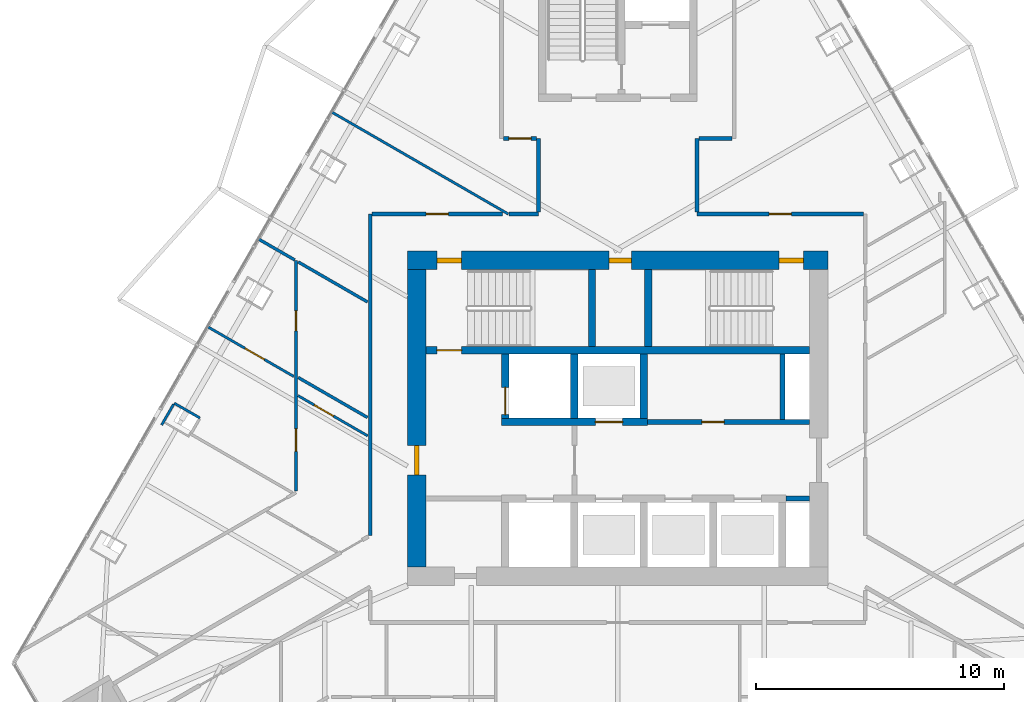
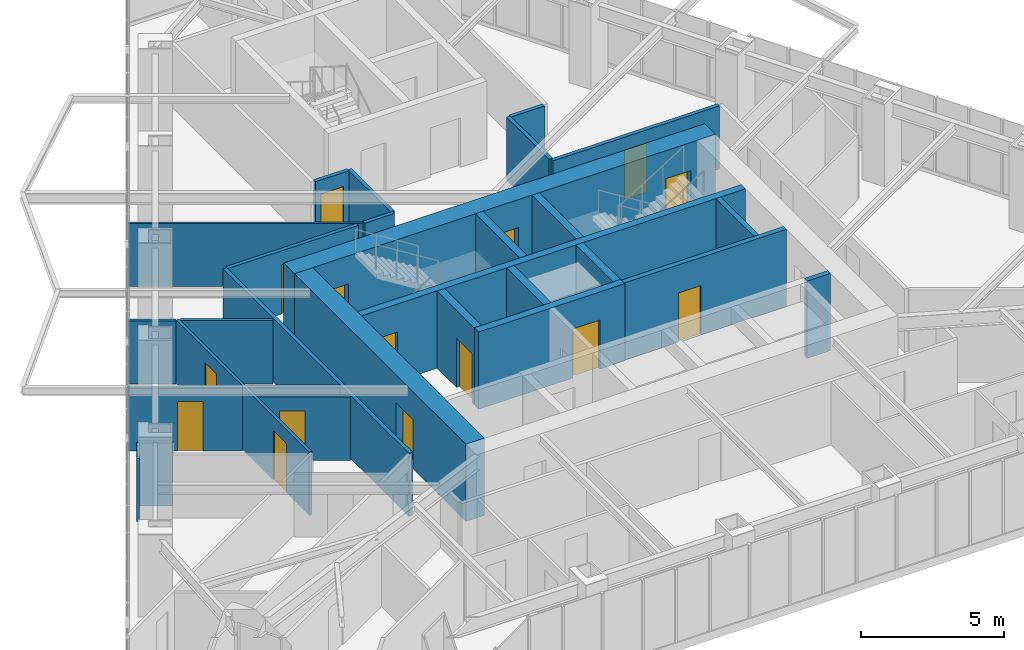
# One storey, part 15 of 19: 29 walls, 15 doors, 15 openings.
"""IFC4 building model written with IfcOpenShell, lengths in metres."""

import ifcopenshell
import ifcopenshell.guid

model = None  # the IFC model being written
_history = None  # IfcOwnerHistory: only IFC2X3 demands one
_inside = {}  # id of a spatial element -> (the spatial element, [elements in it])
_under = {}  # id of a project, library or spatial element -> (it, [spatial elements below it])
_declared = {}  # id of a project -> (the project, [libraries it declares])
_typed = {}  # id of a type object -> (the type object, [elements of that type])
_made_of = {}  # id of a material, layer set ... -> (it, [elements and type objects made of it])


def new_model(schema):
    """Start an empty IFC model of exactly this schema.

    Asked for "IFC4X3", IfcOpenShell would pick the latest addendum, in which some entities
    have other attributes; the version numbers below select the first issue.
    IFC2X3 requires an IfcOwnerHistory on every rooted entity: one is made here for all.
    """
    global model, _history
    if schema == "IFC4X3":
        model = ifcopenshell.file(schema_version=(4, 3, 0, 0))
    else:
        model = ifcopenshell.file(schema=schema)
    _inside.clear()
    _under.clear()
    _declared.clear()
    _typed.clear()
    _made_of.clear()
    _history = None
    if model.schema == "IFC2X3":
        org = make("IfcOrganization", Name="unknown")
        user = make(
            "IfcPersonAndOrganization",
            ThePerson=make("IfcPerson", FamilyName="unknown"),
            TheOrganization=org,
        )
        app = make(
            "IfcApplication",
            ApplicationDeveloper=org,
            Version="unknown",
            ApplicationFullName="unknown",
            ApplicationIdentifier="unknown",
        )
        _history = make(
            "IfcOwnerHistory",
            OwningUser=user,
            OwningApplication=app,
            ChangeAction="ADDED",
            CreationDate=0,
        )
    return model


def make(cls, **values):
    """One entity of the class cls with the attributes given. An attribute that is None is left unset."""
    return model.create_entity(
        cls, **{name: value for name, value in values.items() if value is not None}
    )


def rooted(cls, **values):
    """An entity with a GlobalId (a new one), such as an element, a storey or a relation."""
    return make(cls, GlobalId=ifcopenshell.guid.new(), OwnerHistory=_history, **values)


def si_unit(unit_type, name, prefix=None):
    """IfcSIUnit, for example si_unit("LENGTHUNIT", "METRE", prefix="MILLI")."""
    return make("IfcSIUnit", UnitType=unit_type, Prefix=prefix, Name=name)


def assignment(units):
    """IfcUnitAssignment: the units of a project."""
    return None if units is None else make("IfcUnitAssignment", Units=units)


def point(xyz):
    """IfcCartesianPoint."""
    return None if xyz is None else make("IfcCartesianPoint", Coordinates=xyz)


def direction(xyz):
    """IfcDirection."""
    return None if xyz is None else make("IfcDirection", DirectionRatios=xyz)


def frame(location, z_axis=None, x_axis=None):
    """IfcAxis2Placement3D, a coordinate frame: its origin and axes. An axis left out is left unset."""
    return make(
        "IfcAxis2Placement3D",
        Location=point(location),
        Axis=direction(z_axis),
        RefDirection=direction(x_axis),
    )


def frame_2d(location, x_axis=None):
    """IfcAxis2Placement2D, a coordinate frame in the plane: its origin and x axis."""
    return make(
        "IfcAxis2Placement2D", Location=point(location), RefDirection=direction(x_axis)
    )


def origin():
    """The frame at (0, 0, 0) with its axes left unset."""
    return frame((0.0, 0.0, 0.0))


def place(relative_to, where):
    """IfcLocalPlacement: puts the frame where relative to a parent placement (None: the world)."""
    return make(
        "IfcLocalPlacement", PlacementRelTo=relative_to, RelativePlacement=where
    )


def context(
    kind, dimensions, precision=None, world=None, true_north=None, identifier=None
):
    """IfcGeometricRepresentationContext, for example the 3D "Model" context."""
    return make(
        "IfcGeometricRepresentationContext",
        ContextIdentifier=identifier,
        ContextType=kind,
        CoordinateSpaceDimension=dimensions,
        Precision=precision,
        WorldCoordinateSystem=world,
        TrueNorth=true_north,
    )


def subcontext(parent, identifier, kind, view, scale=None):
    """IfcGeometricRepresentationSubContext, for example "Body" below "Model"."""
    return make(
        "IfcGeometricRepresentationSubContext",
        ContextIdentifier=identifier,
        ContextType=kind,
        ParentContext=parent,
        TargetScale=scale,
        TargetView=view,
    )


def project(units=None, contexts=None):
    """IfcProject with its units and contexts."""
    return rooted(
        "IfcProject",
        Name="project",
        RepresentationContexts=contexts,
        UnitsInContext=assignment(units),
    )


def spatial(cls, under=None, at=None, **own):
    """A site, building, storey or space (cls), placed at a placement, below another one or the project."""
    s = rooted(cls, ObjectPlacement=at, **own)
    if under is not None:
        _under.setdefault(under.id(), (under, []))[1].append(s)
    return s


def profile(cls, at=None, kind="AREA", **sizes):
    """A parametric profile (cls). Its sizes go by their IFC names, for example OverallWidth=200.0."""
    return make(cls, ProfileType=kind, Position=at, **sizes)


def rectangle(**sizes):
    """IfcRectangleProfileDef."""
    return profile("IfcRectangleProfileDef", **sizes)


def extrude(swept, where, along, depth):
    """IfcExtrudedAreaSolid: the profile swept, set in the frame where, extruded along a direction by depth."""
    return make(
        "IfcExtrudedAreaSolid",
        SweptArea=swept,
        Position=where,
        ExtrudedDirection=direction(along),
        Depth=depth,
    )


def shape(context_of_items, identifier, shape_type, items):
    """IfcShapeRepresentation: the items that make up one representation, for example the "Body"."""
    return make(
        "IfcShapeRepresentation",
        ContextOfItems=context_of_items,
        RepresentationIdentifier=identifier,
        RepresentationType=shape_type,
        Items=items,
    )


def material(Name=None, Category=None):
    """IfcMaterial."""
    return make("IfcMaterial", Name=Name, Category=Category)


def layer(
    of_material, thickness, ventilated=None, Name=None, Category=None, Priority=None
):
    """IfcMaterialLayer: one layer of a wall or slab, of a material (None: an air gap)."""
    return make(
        "IfcMaterialLayer",
        Material=of_material,
        LayerThickness=thickness,
        IsVentilated=ventilated,
        Name=Name,
        Category=Category,
        Priority=Priority,
    )


def layer_set(layers, Name=None):
    """IfcMaterialLayerSet."""
    return make("IfcMaterialLayerSet", MaterialLayers=layers, LayerSetName=Name)


def made_of(thing, what):
    """Note that an element or type object is made of a material, layer set ...; save() writes the relation."""
    if what is not None:
        _made_of.setdefault(what.id(), (what, []))[1].append(thing)
    return thing


def type_object(cls, material=None, **own):
    """A type object (cls), such as IfcWallType, which elements share."""
    return made_of(rooted(cls, **own), material)


def element(
    cls,
    number,
    at=None,
    inside=None,
    cuts=None,
    type_object=None,
    material=None,
    context=None,
    identifier="Body",
    shape_type=None,
    held_by="IfcProductDefinitionShape",
    body=None,
    shapes=None,
    **own,
):
    """One element of the class cls, such as IfcWall. Its Tag is "e" and its number.

    at: its placement. inside: the storey or other place that contains it. cuts: it is an
    opening in that element (IfcRelVoidsElement). A single representation is given by context,
    identifier, shape_type and body (its items); several are given by shapes. held_by: the class
    of the entity that holds the representations. save() writes the other relations.
    """
    e = rooted(cls, Tag="e%d" % number, ObjectPlacement=at, **own)
    if body is not None:
        shapes = [shape(context, identifier, shape_type, body)]
    if shapes is not None:
        e.Representation = make(held_by, Representations=shapes)
    if inside is not None:
        _inside.setdefault(inside.id(), (inside, []))[1].append(e)
    if cuts is not None:
        rooted(
            "IfcRelVoidsElement", RelatingBuildingElement=cuts, RelatedOpeningElement=e
        )
    if type_object is not None:
        _typed.setdefault(type_object.id(), (type_object, []))[1].append(e)
    return made_of(e, material)


def fill(opening, filler):
    """IfcRelFillsElement: the door or window that sits in an opening."""
    return rooted(
        "IfcRelFillsElement",
        RelatingOpeningElement=opening,
        RelatedBuildingElement=filler,
    )


def aggregate(whole, parts):
    """IfcRelAggregates: a whole, such as a stair, and the parts it consists of."""
    return rooted("IfcRelAggregates", RelatingObject=whole, RelatedObjects=parts)


def save(model, path):
    """Write the relations noted so far, then the file.

    IfcRelAggregates (storeys below a building ...), IfcRelContainedInSpatialStructure (elements
    in a storey), IfcRelDefinesByType, IfcRelAssociatesMaterial and IfcRelDeclares: one each for
    every whole, place, type object, material and project.
    """
    for whole, parts in _under.values():
        aggregate(whole, parts)
    for where, things in _inside.values():
        rooted(
            "IfcRelContainedInSpatialStructure",
            RelatedElements=things,
            RelatingStructure=where,
        )
    for kind, things in _typed.values():
        rooted("IfcRelDefinesByType", RelatedObjects=things, RelatingType=kind)
    for what, things in _made_of.values():
        rooted("IfcRelAssociatesMaterial", RelatedObjects=things, RelatingMaterial=what)
    for by, libraries in _declared.values():
        rooted("IfcRelDeclares", RelatingContext=by, RelatedDefinitions=libraries)
    model.write(path)


model = new_model("IFC4")

# Units and contexts
model_context = context("Model", 3, precision=1e-05, world=origin(), true_north=direction((0.0, 1.0)))
body_context = subcontext(model_context, "Body", "Model", "MODEL_VIEW")
ifc_project = project(units=[si_unit("LENGTHUNIT", "METRE"), si_unit("AREAUNIT", "SQUARE_METRE"), si_unit("VOLUMEUNIT", "CUBIC_METRE"), si_unit("PLANEANGLEUNIT", "RADIAN"), si_unit("MASSUNIT", "GRAM", prefix="KILO")], contexts=[model_context])

# Site, building, storey
site_placement = place(None, origin())
site = spatial("IfcSite", under=ifc_project, at=site_placement, CompositionType="ELEMENT")
building_placement = place(site_placement, origin())
building = spatial("IfcBuilding", under=site, at=building_placement, Name="Firuza Gate Tower and Library", CompositionType="ELEMENT")
storey_placement = place(building_placement, frame((0.0, 0.0, 316.10009765625)))
storey = spatial("IfcBuildingStorey", under=building, at=storey_placement, Name="L77", CompositionType="ELEMENT", Elevation=316.10009765625)

# Wall
ifc_material_1 = material(Name="Plasterboard on steel studs", Category="steel")
ifc_layer_1 = layer(ifc_material_1, 0.199951171875)
ifc_layer_set_1 = layer_set([ifc_layer_1], Name="Core partition 200 EI 120")
wall_type_1 = type_object("IfcWallType", Name="Core partition 200 EI 120", PredefinedType="PARTITIONING", material=ifc_layer_set_1)
wall_1_placement = place(storey_placement, frame((81.800048828125, 71.75, 0.0), z_axis=(0.0, 0.0, 1.0), x_axis=(1.0, 0.0, 0.0)))
element("IfcWall", 1, at=wall_1_placement, inside=storey, type_object=wall_type_1, Name="Core partition L77 2", PredefinedType="PARTITIONING", context=body_context, shape_type="SweptSolid", body=[
    extrude(rectangle(XDim=0.949951171875, YDim=0.199951171875, at=frame_2d((0.47509765625, 0.0))), origin(), (0.0, 0.0, 1.0), 3.2998046875),
])

# Wall, opening, door
wall_2_placement = place(storey_placement, frame((76.199951171875, 74.85009765625, 0.0), z_axis=(0.0, 0.0, 1.0), x_axis=(1.0, 0.0, 0.0)))
wall_2 = element("IfcWall", 2, at=wall_2_placement, inside=storey, type_object=wall_type_1, Name="Core partition L77 3", PredefinedType="PARTITIONING", context=body_context, shape_type="SweptSolid", body=[
    extrude(rectangle(XDim=6.550048828125, YDim=0.199951171875, at=frame_2d((3.27490234375, 0.0))), origin(), (0.0, 0.0, 1.0), 3.2998046875),
])
opening_1_placement = place(wall_2_placement, frame((2.199951171875, 0.0, 0.0)))
opening_1 = element("IfcOpeningElement", 3, at=opening_1_placement, cuts=wall_2, Name="Opening L77-K18", PredefinedType="OPENING", context=body_context, shape_type="SweptSolid", body=[
    extrude(rectangle(XDim=0.89990234375, YDim=2.10009765625, at=frame_2d((0.449951171875, 1.050048828125))), frame((0.0, 0.10986328125, 0.0), z_axis=(0.0, -1.0, 0.0), x_axis=(1.0, 0.0, 0.0)), (0.0, 0.0, 1.0), 0.219970703125),
])
ifc_material_2 = material(Name="Steel", Category="steel")
door_type_1 = type_object("IfcDoorType", Name="Fire door 900x2100 FD30S", OperationType="NOTDEFINED", PredefinedType="DOOR", material=ifc_material_2)
door_1_placement = place(opening_1_placement, origin())
door_1 = element("IfcDoor", 4, at=door_1_placement, inside=storey, type_object=door_type_1, Name="Door L77-K18", OperationType="SINGLE_SWING_LEFT", OverallHeight=2.10009765625, OverallWidth=0.89990234375, PredefinedType="DOOR", context=body_context, shape_type="SweptSolid", body=[
    extrude(rectangle(XDim=0.89990234375, YDim=2.10009765625, at=frame_2d((0.449951171875, 1.050048828125))), frame((0.0, 0.02490234375, 0.0), z_axis=(0.0, -1.0, 0.0), x_axis=(1.0, 0.0, 0.0)), (0.0, 0.0, 1.0), 0.050048828125),
])
fill(opening_1, door_1)

# Wall
wall_3_placement = place(storey_placement, frame((81.64990234375, 74.949951171875, 0.0), z_axis=(0.0, 0.0, 1.0), x_axis=(0.0, 1.0, 0.0)))
element("IfcWall", 5, at=wall_3_placement, inside=storey, type_object=wall_type_1, Name="Core partition L77 5", PredefinedType="PARTITIONING", context=body_context, shape_type="SweptSolid", body=[
    extrude(rectangle(XDim=2.650146484375, YDim=0.199951171875, at=frame_2d((1.3251953125, 0.0))), origin(), (0.0, 0.0, 1.0), 3.2998046875),
])

# Wall, opening, door
ifc_material_3 = material(Name="Concrete C60/75", Category="concrete")
ifc_layer_2 = layer(ifc_material_3, 0.300048828125)
ifc_layer_set_2 = layer_set([ifc_layer_2], Name="Core wall 300 C60/75")
wall_type_2 = type_object("IfcWallType", Name="Core wall 300 C60/75", PredefinedType="SHEAR", material=ifc_layer_set_2)
wall_4_placement = place(storey_placement, frame((70.300048828125, 74.85009765625, 0.0), z_axis=(0.0, 0.0, 1.0), x_axis=(1.0, 0.0, 0.0)))
wall_4 = element("IfcWall", 6, at=wall_4_placement, inside=storey, type_object=wall_type_2, Name="Core wall L77 6", PredefinedType="SHEAR", context=body_context, shape_type="SweptSolid", body=[
    extrude(rectangle(XDim=5.89990234375, YDim=0.300048828125, at=frame_2d((2.949951171875, 0.0))), origin(), (0.0, 0.0, 1.0), 3.2998046875),
])
opening_2_placement = place(wall_4_placement, frame((3.800048828125, 0.0, 0.0)))
opening_2 = element("IfcOpeningElement", 7, at=opening_2_placement, cuts=wall_4, Name="Opening LD-HR4-L77", PredefinedType="OPENING", context=body_context, shape_type="SweptSolid", body=[
    extrude(rectangle(XDim=1.10009765625, YDim=2.10009765625, at=frame_2d((0.550048828125, 1.050048828125))), frame((0.0, 0.16015625, 0.0), z_axis=(0.0, -1.0, 0.0), x_axis=(1.0, 0.0, 0.0)), (0.0, 0.0, 1.0), 0.320068359375),
])
ifc_material_4 = material(Name="Stainless steel", Category="steel")
door_type_2 = type_object("IfcDoorType", Name="Lift landing door 1100x2100", OperationType="DOUBLE_DOOR_SLIDING", PredefinedType="DOOR", material=ifc_material_4)
door_2_placement = place(opening_2_placement, origin())
door_2 = element("IfcDoor", 8, at=door_2_placement, inside=storey, type_object=door_type_2, Name="Landing door HR4 L77", OperationType="DOUBLE_DOOR_SLIDING", OverallHeight=2.10009765625, OverallWidth=1.10009765625, PredefinedType="DOOR", context=body_context, shape_type="SweptSolid", body=[
    extrude(rectangle(XDim=1.10009765625, YDim=2.10009765625, at=frame_2d((0.550048828125, 1.050048828125))), frame((0.0, 0.02490234375, 0.0), z_axis=(0.0, -1.0, 0.0), x_axis=(1.0, 0.0, 0.0)), (0.0, 0.0, 1.0), 0.050048828125),
])
fill(opening_2, door_2)

wall_5_placement = place(storey_placement, frame((70.449951171875, 75.0, 0.0), z_axis=(0.0, 0.0, 1.0), x_axis=(0.0, 1.0, 0.0)))
wall_5 = element("IfcWall", 9, at=wall_5_placement, inside=storey, type_object=wall_type_2, Name="Core wall L77 8", PredefinedType="SHEAR", context=body_context, shape_type="SweptSolid", body=[
    extrude(rectangle(XDim=2.60009765625, YDim=0.300048828125, at=frame_2d((1.300048828125, 0.0))), origin(), (0.0, 0.0, 1.0), 3.2998046875),
])
opening_3_placement = place(wall_5_placement, frame((0.14990234375, 0.0, 0.0)))
opening_3 = element("IfcOpeningElement", 10, at=opening_3_placement, cuts=wall_5, Name="Opening LD-FF2-L77", PredefinedType="OPENING", context=body_context, shape_type="SweptSolid", body=[
    extrude(rectangle(XDim=1.10009765625, YDim=2.10009765625, at=frame_2d((0.550048828125, 1.050048828125))), frame((0.0, 0.16015625, 0.0), z_axis=(0.0, -1.0, 0.0), x_axis=(1.0, 0.0, 0.0)), (0.0, 0.0, 1.0), 0.320068359375),
])
door_3_placement = place(opening_3_placement, origin())
door_3 = element("IfcDoor", 11, at=door_3_placement, inside=storey, type_object=door_type_2, Name="Landing door FF2 L77", OperationType="DOUBLE_DOOR_SLIDING", OverallHeight=2.10009765625, OverallWidth=1.10009765625, PredefinedType="DOOR", context=body_context, shape_type="SweptSolid", body=[
    extrude(rectangle(XDim=1.10009765625, YDim=2.10009765625, at=frame_2d((0.550048828125, 1.050048828125))), frame((0.0, 0.02490234375, 0.0), z_axis=(0.0, -1.0, 0.0), x_axis=(1.0, 0.0, 0.0)), (0.0, 0.0, 1.0), 0.050048828125),
])
fill(opening_3, door_3)

# Walls
for number, where, z_axis, x_axis, name in (
    (12, (73.25, 75.0, 0.0), (0.0, 0.0, 1.0), (0.0, 1.0, 0.0), "Core wall L77 10"),
    (13, (76.050048828125, 75.0, 0.0), (0.0, 0.0, 1.0), (0.0, 1.0, 0.0), "Core wall L77 12"),
):
    element("IfcWall", number, at=place(storey_placement, frame(where, z_axis=z_axis, x_axis=x_axis)), inside=storey, type_object=wall_type_2, Name=name, PredefinedType="SHEAR", context=body_context, shape_type="SweptSolid", body=[
        extrude(rectangle(XDim=2.60009765625, YDim=0.300048828125, at=frame_2d((1.300048828125, 0.0))), origin(), (0.0, 0.0, 1.0), 3.2998046875),
    ])

# Wall, opening, door
wall_6_placement = place(storey_placement, frame((67.25, 77.75, 0.0), z_axis=(0.0, 0.0, 1.0), x_axis=(1.0, 0.0, 0.0)))
wall_6 = element("IfcWall", 14, at=wall_6_placement, inside=storey, type_object=wall_type_2, Name="Core wall L77 15", PredefinedType="SHEAR", context=body_context, shape_type="SweptSolid", body=[
    extrude(rectangle(XDim=15.5, YDim=0.300048828125, at=frame_2d((7.75, 0.0))), origin(), (0.0, 0.0, 1.0), 3.2998046875),
])
opening_4_placement = place(wall_6_placement, frame((0.445068359375, 0.0, 0.0)))
opening_4 = element("IfcOpeningElement", 15, at=opening_4_placement, cuts=wall_6, Name="Opening L77-K08", PredefinedType="OPENING", context=body_context, shape_type="SweptSolid", body=[
    extrude(rectangle(XDim=1.0, YDim=2.10009765625, at=frame_2d((0.5, 1.050048828125))), frame((0.0, 0.16015625, 0.0), z_axis=(0.0, -1.0, 0.0), x_axis=(1.0, 0.0, 0.0)), (0.0, 0.0, 1.0), 0.320068359375),
])
ifc_material_5 = material(Name="Steel", Category="steel")
door_type_3 = type_object("IfcDoorType", Name="Fire door 1000x2100 FD90", OperationType="NOTDEFINED", PredefinedType="DOOR", material=ifc_material_5)
door_4_placement = place(opening_4_placement, origin())
door_4 = element("IfcDoor", 16, at=door_4_placement, inside=storey, type_object=door_type_3, Name="Door L77-K08", OperationType="SINGLE_SWING_LEFT", OverallHeight=2.10009765625, OverallWidth=1.0, PredefinedType="DOOR", context=body_context, shape_type="SweptSolid", body=[
    extrude(rectangle(XDim=1.0, YDim=2.10009765625, at=frame_2d((0.5, 1.050048828125))), frame((0.0, 0.02490234375, 0.0), z_axis=(0.0, -1.0, 0.0), x_axis=(1.0, 0.0, 0.0)), (0.0, 0.0, 1.0), 0.050048828125),
])
fill(opening_4, door_4)

# Walls
for number, where, z_axis, x_axis, name in (
    (17, (73.9599609375, 77.89990234375, 0.0), (0.0, 0.0, 1.0), (0.0, 1.0, 0.0), "Core wall L77 16"),
    (18, (76.239990234375, 77.89990234375, 0.0), (0.0, 0.0, 1.0), (0.0, 1.0, 0.0), "Core wall L77 17"),
):
    element("IfcWall", number, at=place(storey_placement, frame(where, z_axis=z_axis, x_axis=x_axis)), inside=storey, type_object=wall_type_2, Name=name, PredefinedType="SHEAR", context=body_context, shape_type="SweptSolid", body=[
        extrude(rectangle(XDim=3.10009765625, YDim=0.300048828125, at=frame_2d((1.550048828125, 0.0))), origin(), (0.0, 0.0, 1.0), 3.2998046875),
    ])

# Wall, openings, doors
ifc_material_6 = material(Name="Concrete C60/75", Category="concrete")
ifc_layer_3 = layer(ifc_material_6, 0.75)
ifc_layer_set_3 = layer_set([ifc_layer_3], Name="Core wall 750 C60/75")
wall_type_3 = type_object("IfcWallType", Name="Core wall 750 C60/75", PredefinedType="SHEAR", material=ifc_layer_set_3)
wall_7_placement = place(storey_placement, frame((66.5, 81.375, 0.0), z_axis=(0.0, 0.0, 1.0), x_axis=(1.0, 0.0, 0.0)))
wall_7 = element("IfcWall", 19, at=wall_7_placement, inside=storey, type_object=wall_type_3, Name="Core wall L77 2", PredefinedType="SHEAR", context=body_context, shape_type="SweptSolid", body=[
    extrude(rectangle(XDim=17.0, YDim=0.75, at=frame_2d((8.5, 0.0))), origin(), (0.0, 0.0, 1.0), 3.2998046875),
])
opening_5_placement = place(wall_7_placement, frame((1.195068359375, 0.0, 0.0)))
opening_5 = element("IfcOpeningElement", 20, at=opening_5_placement, cuts=wall_7, Name="Opening L77-K09", PredefinedType="OPENING", context=body_context, shape_type="SweptSolid", body=[
    extrude(rectangle(XDim=1.0, YDim=2.10009765625, at=frame_2d((0.5, 1.050048828125))), frame((0.0, 0.385009765625, 0.0), z_axis=(0.0, -1.0, 0.0), x_axis=(1.0, 0.0, 0.0)), (0.0, 0.0, 1.0), 0.77001953125),
])
opening_6_placement = place(wall_7_placement, frame((15.0048828125, 0.0, 0.0)))
opening_6 = element("IfcOpeningElement", 21, at=opening_6_placement, cuts=wall_7, Name="Opening L77-K10", PredefinedType="OPENING", context=body_context, shape_type="SweptSolid", body=[
    extrude(rectangle(XDim=1.0, YDim=2.10009765625, at=frame_2d((0.5, 1.050048828125))), frame((0.0, 0.385009765625, 0.0), z_axis=(0.0, -1.0, 0.0), x_axis=(1.0, 0.0, 0.0)), (0.0, 0.0, 1.0), 0.77001953125),
])
opening_7_placement = place(wall_7_placement, frame((8.14990234375, 0.0, 0.0)))
opening_7 = element("IfcOpeningElement", 22, at=opening_7_placement, cuts=wall_7, Name="Opening L77-K19", PredefinedType="OPENING", context=body_context, shape_type="SweptSolid", body=[
    extrude(rectangle(XDim=0.89990234375, YDim=2.10009765625, at=frame_2d((0.449951171875, 1.050048828125))), frame((0.0, 0.385009765625, 0.0), z_axis=(0.0, -1.0, 0.0), x_axis=(1.0, 0.0, 0.0)), (0.0, 0.0, 1.0), 0.77001953125),
])
door_5_placement = place(opening_5_placement, origin())
door_5 = element("IfcDoor", 23, at=door_5_placement, inside=storey, type_object=door_type_3, Name="Door L77-K09", OperationType="SINGLE_SWING_RIGHT", OverallHeight=2.10009765625, OverallWidth=1.0, PredefinedType="DOOR", context=body_context, shape_type="SweptSolid", body=[
    extrude(rectangle(XDim=1.0, YDim=2.10009765625, at=frame_2d((0.5, 1.050048828125))), frame((0.0, 0.094970703125, 0.0), z_axis=(0.0, -1.0, 0.0), x_axis=(1.0, 0.0, 0.0)), (0.0, 0.0, 1.0), 0.18994140625),
])
fill(opening_5, door_5)
door_6_placement = place(opening_6_placement, origin())
door_6 = element("IfcDoor", 24, at=door_6_placement, inside=storey, type_object=door_type_3, Name="Door L77-K10", OperationType="SINGLE_SWING_LEFT", OverallHeight=2.10009765625, OverallWidth=1.0, PredefinedType="DOOR", context=body_context, shape_type="SweptSolid", body=[
    extrude(rectangle(XDim=1.0, YDim=2.10009765625, at=frame_2d((0.5, 1.050048828125))), frame((0.0, 0.094970703125, 0.0), z_axis=(0.0, -1.0, 0.0), x_axis=(1.0, 0.0, 0.0)), (0.0, 0.0, 1.0), 0.18994140625),
])
fill(opening_6, door_6)
door_7_placement = place(opening_7_placement, origin())
door_7 = element("IfcDoor", 25, at=door_7_placement, inside=storey, type_object=door_type_1, Name="Door L77-K19", OperationType="SINGLE_SWING_RIGHT", OverallHeight=2.10009765625, OverallWidth=0.89990234375, PredefinedType="DOOR", context=body_context, shape_type="SweptSolid", body=[
    extrude(rectangle(XDim=0.89990234375, YDim=2.10009765625, at=frame_2d((0.449951171875, 1.050048828125))), frame((0.0, 0.094970703125, 0.0), z_axis=(0.0, -1.0, 0.0), x_axis=(1.0, 0.0, 0.0)), (0.0, 0.0, 1.0), 0.18994140625),
])
fill(opening_7, door_7)

# Wall, opening, door
wall_8_placement = place(storey_placement, frame((66.875, 69.0, 0.0), z_axis=(0.0, 0.0, 1.0), x_axis=(0.0, 1.0, 0.0)))
wall_8 = element("IfcWall", 26, at=wall_8_placement, inside=storey, type_object=wall_type_3, Name="Core wall L77 3", PredefinedType="SHEAR", context=body_context, shape_type="SweptSolid", body=[
    extrude(rectangle(XDim=12.0, YDim=0.75, at=frame_2d((6.0, 0.0))), origin(), (0.0, 0.0, 1.0), 3.2998046875),
])
opening_8_placement = place(wall_8_placement, frame((3.699951171875, 0.0, 0.0)))
opening_8 = element("IfcOpeningElement", 27, at=opening_8_placement, cuts=wall_8, Name="Opening L77-K15", PredefinedType="OPENING", context=body_context, shape_type="SweptSolid", body=[
    extrude(rectangle(XDim=1.199951171875, YDim=2.10009765625, at=frame_2d((0.60009765625, 1.050048828125))), frame((0.0, 0.385009765625, 0.0), z_axis=(0.0, -1.0, 0.0), x_axis=(1.0, 0.0, 0.0)), (0.0, 0.0, 1.0), 0.77001953125),
])
ifc_material_7 = material(Name="Steel", Category="steel")
door_type_4 = type_object("IfcDoorType", Name="Fire door 1200x2100 FD90S", OperationType="NOTDEFINED", PredefinedType="DOOR", material=ifc_material_7)
door_8_placement = place(opening_8_placement, origin())
door_8 = element("IfcDoor", 28, at=door_8_placement, inside=storey, type_object=door_type_4, Name="Door L77-K15", OperationType="SINGLE_SWING_RIGHT", OverallHeight=2.10009765625, OverallWidth=1.199951171875, PredefinedType="DOOR", context=body_context, shape_type="SweptSolid", body=[
    extrude(rectangle(XDim=1.199951171875, YDim=2.10009765625, at=frame_2d((0.60009765625, 1.050048828125))), frame((0.0, 0.094970703125, 0.0), z_axis=(0.0, -1.0, 0.0), x_axis=(1.0, 0.0, 0.0)), (0.0, 0.0, 1.0), 0.18994140625),
])
fill(opening_8, door_8)

ifc_material_8 = material(Name="Gypsum board partition")
ifc_layer_4 = layer(ifc_material_8, 0.14990234375)
ifc_layer_set_4 = layer_set([ifc_layer_4], Name="Corridor wall 150 double board on steel studs")
wall_type_4 = type_object("IfcWallType", Name="Corridor wall 150 double board on steel studs", PredefinedType="PARTITIONING", material=ifc_layer_set_4)
wall_9_placement = place(storey_placement, frame((65.075439453125, 83.25, 0.0), z_axis=(0.0, 0.0, 1.0), x_axis=(1.0, 0.0, 0.0)))
wall_9 = element("IfcWall", 29, at=wall_9_placement, inside=storey, type_object=wall_type_4, Name="f:L77:w005", PredefinedType="PARTITIONING", context=body_context, shape_type="SweptSolid", body=[
    extrude(rectangle(XDim=5.271484375, YDim=0.14990234375, at=frame_2d((2.6357421875, 0.0))), origin(), (0.0, 0.0, 1.0), 2.699951171875),
])
opening_9_placement = place(wall_9_placement, frame((2.185791015625, 0.0, 0.0)))
opening_9 = element("IfcOpeningElement", 30, at=opening_9_placement, cuts=wall_9, Name="Opening L77-06", PredefinedType="OPENING", context=body_context, shape_type="SweptSolid", body=[
    extrude(rectangle(XDim=0.89990234375, YDim=2.10009765625, at=frame_2d((0.449951171875, 1.050048828125))), frame((0.0, 0.0849609375, 0.0), z_axis=(0.0, -1.0, 0.0), x_axis=(1.0, 0.0, 0.0)), (0.0, 0.0, 1.0), 0.169921875),
])
ifc_material_9 = material(Name="Steel door and timber leaf", Category="steel")
door_type_5 = type_object("IfcDoorType", Name="Fire door 900 x 2100 steel frame, timber leaf", OperationType="NOTDEFINED", PredefinedType="DOOR", material=ifc_material_9)
door_9_placement = place(opening_9_placement, origin())
door_9 = element("IfcDoor", 31, at=door_9_placement, inside=storey, type_object=door_type_5, Name="f:L77:d006", OperationType="SINGLE_SWING_RIGHT", OverallHeight=2.10009765625, OverallWidth=0.89990234375, PredefinedType="DOOR", context=body_context, shape_type="SweptSolid", body=[
    extrude(rectangle(XDim=0.89990234375, YDim=2.10009765625, at=frame_2d((0.449951171875, 1.050048828125))), frame((0.0, 0.02490234375, 0.0), z_axis=(0.0, -1.0, 0.0), x_axis=(1.0, 0.0, 0.0)), (0.0, 0.0, 1.0), 0.050048828125),
])
fill(opening_9, door_9)

wall_10_placement = place(storey_placement, frame((78.199951171875, 83.25, 0.0), z_axis=(0.0, 0.0, 1.0), x_axis=(1.0, 0.0, 0.0)))
wall_10 = element("IfcWall", 32, at=wall_10_placement, inside=storey, type_object=wall_type_4, Name="f:L77:w006", PredefinedType="PARTITIONING", context=body_context, shape_type="SweptSolid", body=[
    extrude(rectangle(XDim=6.72314453125, YDim=0.14990234375, at=frame_2d((3.361572265625, 0.0))), origin(), (0.0, 0.0, 1.0), 2.699951171875),
])
opening_10_placement = place(wall_10_placement, frame((2.911376953125, 0.0, 0.0)))
opening_10 = element("IfcOpeningElement", 33, at=opening_10_placement, cuts=wall_10, Name="Opening L77-07", PredefinedType="OPENING", context=body_context, shape_type="SweptSolid", body=[
    extrude(rectangle(XDim=0.89990234375, YDim=2.10009765625, at=frame_2d((0.449951171875, 1.050048828125))), frame((0.0, 0.0849609375, 0.0), z_axis=(0.0, -1.0, 0.0), x_axis=(1.0, 0.0, 0.0)), (0.0, 0.0, 1.0), 0.169921875),
])
door_10_placement = place(opening_10_placement, origin())
door_10 = element("IfcDoor", 34, at=door_10_placement, inside=storey, type_object=door_type_5, Name="f:L77:d007", OperationType="SINGLE_SWING_RIGHT", OverallHeight=2.10009765625, OverallWidth=0.89990234375, PredefinedType="DOOR", context=body_context, shape_type="SweptSolid", body=[
    extrude(rectangle(XDim=0.89990234375, YDim=2.10009765625, at=frame_2d((0.449951171875, 1.050048828125))), frame((0.0, 0.02490234375, 0.0), z_axis=(0.0, -1.0, 0.0), x_axis=(1.0, 0.0, 0.0)), (0.0, 0.0, 1.0), 0.050048828125),
])
fill(opening_10, door_10)

wall_11_placement = place(storey_placement, frame((70.37548828125, 86.300048828125, 0.0), z_axis=(0.0, 0.0, 1.0), x_axis=(1.0, 0.0, 0.0)))
wall_11 = element("IfcWall", 35, at=wall_11_placement, inside=storey, type_object=wall_type_4, Name="f:L77:w007", PredefinedType="PARTITIONING", context=body_context, shape_type="SweptSolid", body=[
    extrude(rectangle(XDim=1.349365234375, YDim=0.14990234375, at=frame_2d((0.6748046875, 0.0))), origin(), (0.0, 0.0, 1.0), 2.699951171875),
])
opening_11_placement = place(wall_11_placement, frame((0.224609375, 0.0, 0.0)))
opening_11 = element("IfcOpeningElement", 36, at=opening_11_placement, cuts=wall_11, Name="Opening L77-08", PredefinedType="OPENING", context=body_context, shape_type="SweptSolid", body=[
    extrude(rectangle(XDim=0.89990234375, YDim=2.10009765625, at=frame_2d((0.449951171875, 1.050048828125))), frame((0.0, 0.0849609375, 0.0), z_axis=(0.0, -1.0, 0.0), x_axis=(1.0, 0.0, 0.0)), (0.0, 0.0, 1.0), 0.169921875),
])
door_11_placement = place(opening_11_placement, origin())
door_11 = element("IfcDoor", 37, at=door_11_placement, inside=storey, type_object=door_type_5, Name="f:L77:d008", OperationType="SINGLE_SWING_LEFT", OverallHeight=2.10009765625, OverallWidth=0.89990234375, PredefinedType="DOOR", context=body_context, shape_type="SweptSolid", body=[
    extrude(rectangle(XDim=0.89990234375, YDim=2.10009765625, at=frame_2d((0.449951171875, 1.050048828125))), frame((0.0, 0.02490234375, 0.0), z_axis=(0.0, -1.0, 0.0), x_axis=(1.0, 0.0, 0.0)), (0.0, 0.0, 1.0), 0.050048828125),
])
fill(opening_11, door_11)

# Walls
wall_12_placement = place(storey_placement, frame((78.275146484375, 86.300048828125, 0.0), z_axis=(0.0, 0.0, 1.0), x_axis=(1.0, 0.0, 0.0)))
element("IfcWall", 38, at=wall_12_placement, inside=storey, type_object=wall_type_4, Name="f:L77:w008", PredefinedType="PARTITIONING", context=body_context, shape_type="SweptSolid", body=[
    extrude(rectangle(XDim=1.347900390625, YDim=0.14990234375, at=frame_2d((0.673828125, 0.0))), origin(), (0.0, 0.0, 1.0), 2.699951171875),
])
for number, where, z_axis, x_axis, name in (
    (39, (78.199951171875, 83.324951171875, 0.0), (0.0, 0.0, 1.0), (0.0, 1.0, 0.0), "f:L77:w036"),
    (40, (71.800048828125, 83.324951171875, 0.0), (0.0, 0.0, 1.0), (0.0, 1.0, 0.0), "f:L77:w039"),
):
    element("IfcWall", number, at=place(storey_placement, frame(where, z_axis=z_axis, x_axis=x_axis)), inside=storey, type_object=wall_type_4, Name=name, PredefinedType="PARTITIONING", context=body_context, shape_type="SweptSolid", body=[
        extrude(rectangle(XDim=2.97509765625, YDim=0.14990234375, at=frame_2d((1.487548828125, 0.0))), origin(), (0.0, 0.0, 1.0), 2.699951171875),
    ])
wall_13_placement = place(storey_placement, frame((65.0, 70.265625, 0.0), z_axis=(0.0, 0.0, 1.0), x_axis=(0.0, 1.0, 0.0)))
element("IfcWall", 41, at=wall_13_placement, inside=storey, type_object=wall_type_4, Name="f:L77:w046", PredefinedType="PARTITIONING", context=body_context, shape_type="SweptSolid", body=[
    extrude(rectangle(XDim=12.98388671875, YDim=0.14990234375, at=frame_2d((6.491943359375, 0.0))), origin(), (0.0, 0.0, 1.0), 2.699951171875),
])
wall_14_placement = place(storey_placement, frame((70.60205078125, 83.25, 0.0), z_axis=(0.0, 0.0, 1.0), x_axis=(1.0, 0.0, 0.0)))
element("IfcWall", 42, at=wall_14_placement, inside=storey, type_object=wall_type_4, Name="f:L77:w065", PredefinedType="PARTITIONING", context=body_context, shape_type="SweptSolid", body=[
    extrude(rectangle(XDim=1.197998046875, YDim=0.14990234375, at=frame_2d((0.59912109375, 0.0))), origin(), (0.0, 0.0, 1.0), 2.699951171875),
])
ifc_material_10 = material(Name="Gypsum board partition")
ifc_layer_5 = layer(ifc_material_10, 0.10009765625)
ifc_layer_set_5 = layer_set([ifc_layer_5], Name="Partition 100 gypsum board on steel studs")
wall_type_5 = type_object("IfcWallType", Name="Partition 100 gypsum board on steel studs", PredefinedType="PARTITIONING", material=ifc_layer_set_5)
wall_15_placement = place(storey_placement, frame((56.576171875, 74.72900390625, 0.0), z_axis=(0.0, 0.0, 1.0), x_axis=(0.500079715141, 0.865979375335, 0.0)))
element("IfcWall", 43, at=wall_15_placement, inside=storey, type_object=wall_type_5, Name="f:L77:w025", PredefinedType="PARTITIONING", context=body_context, shape_type="SweptSolid", body=[
    extrude(rectangle(XDim=0.966064453125, YDim=0.10009765625, at=frame_2d((0.48291015625, 0.0))), origin(), (0.0, 0.0, 1.0), 2.699951171875),
])
wall_16_placement = place(storey_placement, frame((70.5771484375, 83.249755859375, 0.0), z_axis=(0.0, 0.0, 1.0), x_axis=(-0.866020477552, 0.500008532388, 0.0)))
element("IfcWall", 44, at=wall_16_placement, inside=storey, type_object=wall_type_5, Name="f:L77:w051", PredefinedType="PARTITIONING", context=body_context, shape_type="SweptSolid", body=[
    extrude(rectangle(XDim=8.224365234375, YDim=0.10009765625, at=frame_2d((4.1123046875, 0.0))), origin(), (0.0, 0.0, 1.0), 2.68798828125),
])

# Wall, opening, door
wall_17_placement = place(storey_placement, frame((58.447021484375, 78.688720703125, 0.0), z_axis=(0.0, 0.0, 1.0), x_axis=(0.866035275801, -0.499982900776, 0.0)))
wall_17 = element("IfcWall", 45, at=wall_17_placement, inside=storey, type_object=wall_type_5, Name="f:L77:w059", PredefinedType="PARTITIONING", context=body_context, shape_type="SweptSolid", body=[
    extrude(rectangle(XDim=4.003173828125, YDim=0.10009765625, at=frame_2d((2.00146484375, 0.0))), origin(), (0.0, 0.0, 1.0), 2.68798828125),
])
opening_12_placement = place(wall_17_placement, frame((1.731689453125, 0.0, 0.0)))
opening_12 = element("IfcOpeningElement", 46, at=opening_12_placement, cuts=wall_17, Name="Opening L77-25", PredefinedType="OPENING", context=body_context, shape_type="SweptSolid", body=[
    extrude(rectangle(XDim=0.89990234375, YDim=2.10009765625, at=frame_2d((0.449951171875, 1.050048828125))), frame((0.0, 0.06005859375, 0.0), z_axis=(0.0, -1.0, 0.0), x_axis=(1.0, 0.0, 0.0)), (0.0, 0.0, 1.0), 0.1201171875),
])
ifc_material_11 = material(Name="Timber door", Category="wood")
door_type_6 = type_object("IfcDoorType", Name="Door 900 x 2100 timber leaf", OperationType="NOTDEFINED", PredefinedType="DOOR", material=ifc_material_11)
door_12_placement = place(opening_12_placement, origin())
door_12 = element("IfcDoor", 47, at=door_12_placement, inside=storey, type_object=door_type_6, Name="f:L77:d025", OperationType="SINGLE_SWING_LEFT", OverallHeight=2.10009765625, OverallWidth=0.89990234375, PredefinedType="DOOR", context=body_context, shape_type="SweptSolid", body=[
    extrude(rectangle(XDim=0.89990234375, YDim=2.10009765625, at=frame_2d((0.449951171875, 1.050048828125))), frame((0.0, 0.02490234375, 0.0), z_axis=(0.0, -1.0, 0.0), x_axis=(1.0, 0.0, 0.0)), (0.0, 0.0, 1.0), 0.050048828125),
])
fill(opening_12, door_12)

wall_18_placement = place(storey_placement, frame((62.0859375, 75.912353515625, 0.0), z_axis=(0.0, 0.0, 1.0), x_axis=(0.866032882975, -0.499987045439, 0.0)))
wall_18 = element("IfcWall", 48, at=wall_18_placement, inside=storey, type_object=wall_type_5, Name="f:L77:w060", PredefinedType="PARTITIONING", context=body_context, shape_type="SweptSolid", body=[
    extrude(rectangle(XDim=3.248046875, YDim=0.10009765625, at=frame_2d((1.6240234375, 0.0))), origin(), (0.0, 0.0, 1.0), 2.699951171875),
])
opening_13_placement = place(wall_18_placement, frame((0.75439453125, 0.0, 0.0)))
opening_13 = element("IfcOpeningElement", 49, at=opening_13_placement, cuts=wall_18, Name="Opening L77-26", PredefinedType="OPENING", context=body_context, shape_type="SweptSolid", body=[
    extrude(rectangle(XDim=0.89990234375, YDim=2.10009765625, at=frame_2d((0.449951171875, 1.050048828125))), frame((0.0, 0.06005859375, 0.0), z_axis=(0.0, -1.0, 0.0), x_axis=(1.0, 0.0, 0.0)), (0.0, 0.0, 1.0), 0.1201171875),
])
door_13_placement = place(opening_13_placement, origin())
door_13 = element("IfcDoor", 50, at=door_13_placement, inside=storey, type_object=door_type_6, Name="f:L77:d026", OperationType="SINGLE_SWING_LEFT", OverallHeight=2.10009765625, OverallWidth=0.89990234375, PredefinedType="DOOR", context=body_context, shape_type="SweptSolid", body=[
    extrude(rectangle(XDim=0.89990234375, YDim=2.10009765625, at=frame_2d((0.449951171875, 1.050048828125))), frame((0.0, 0.02490234375, 0.0), z_axis=(0.0, -1.0, 0.0), x_axis=(1.0, 0.0, 0.0)), (0.0, 0.0, 1.0), 0.050048828125),
])
fill(opening_13, door_13)

# Wall
wall_19_placement = place(storey_placement, frame((58.12353515625, 75.009521484375, 0.0), z_axis=(0.0, 0.0, 1.0), x_axis=(-0.865978732077, 0.500080829057, 0.0)))
element("IfcWall", 51, at=wall_19_placement, inside=storey, type_object=wall_type_5, Name="f:L77:w061", PredefinedType="PARTITIONING", context=body_context, shape_type="SweptSolid", body=[
    extrude(rectangle(XDim=1.198974609375, YDim=0.10009765625, at=frame_2d((0.599609375, 0.0))), origin(), (0.0, 0.0, 1.0), 2.68798828125),
])

# Wall, openings, doors
ifc_material_12 = material(Name="Gypsum board partition")
ifc_layer_6 = layer(ifc_material_12, 0.1201171875)
ifc_layer_set_6 = layer_set([ifc_layer_6], Name="Wet-area partition 120 moisture-resistant board")
wall_type_6 = type_object("IfcWallType", Name="Wet-area partition 120 moisture-resistant board", PredefinedType="PARTITIONING", material=ifc_layer_set_6)
wall_20_placement = place(storey_placement, frame((62.0, 81.3662109375, 0.0), z_axis=(0.0, 0.0, 1.0), x_axis=(0.0, -1.0, 0.0)))
wall_20 = element("IfcWall", 52, at=wall_20_placement, inside=storey, type_object=wall_type_6, Name="f:L77:w047", PredefinedType="PARTITIONING", context=body_context, shape_type="SweptSolid", body=[
    extrude(rectangle(XDim=9.299072265625, YDim=0.1201171875, at=frame_2d((4.6494140625, 0.0))), origin(), (0.0, 0.0, 1.0), 2.699951171875),
])
opening_14_placement = place(wall_20_placement, frame((2.033447265625, 0.0, 0.0)))
opening_14 = element("IfcOpeningElement", 53, at=opening_14_placement, cuts=wall_20, Name="Opening L77-20", PredefinedType="OPENING", context=body_context, shape_type="SweptSolid", body=[
    extrude(rectangle(XDim=0.800048828125, YDim=2.10009765625, at=frame_2d((0.39990234375, 1.050048828125))), frame((0.0, 0.070068359375, 0.0), z_axis=(0.0, -1.0, 0.0), x_axis=(1.0, 0.0, 0.0)), (0.0, 0.0, 1.0), 0.14013671875),
])
opening_15_placement = place(wall_20_placement, frame((6.80029296875, 0.0, 0.0)))
opening_15 = element("IfcOpeningElement", 54, at=opening_15_placement, cuts=wall_20, Name="Opening L77-21", PredefinedType="OPENING", context=body_context, shape_type="SweptSolid", body=[
    extrude(rectangle(XDim=0.89990234375, YDim=2.10009765625, at=frame_2d((0.449951171875, 1.050048828125))), frame((0.0, 0.070068359375, 0.0), z_axis=(0.0, -1.0, 0.0), x_axis=(1.0, 0.0, 0.0)), (0.0, 0.0, 1.0), 0.14013671875),
])
ifc_material_13 = material(Name="Timber door", Category="wood")
door_type_7 = type_object("IfcDoorType", Name="Door 800 x 2100 timber leaf", OperationType="NOTDEFINED", PredefinedType="DOOR", material=ifc_material_13)
door_14_placement = place(opening_14_placement, origin())
door_14 = element("IfcDoor", 55, at=door_14_placement, inside=storey, type_object=door_type_7, Name="f:L77:d020", OperationType="SINGLE_SWING_RIGHT", OverallHeight=2.10009765625, OverallWidth=0.800048828125, PredefinedType="DOOR", context=body_context, shape_type="SweptSolid", body=[
    extrude(rectangle(XDim=0.800048828125, YDim=2.10009765625, at=frame_2d((0.39990234375, 1.050048828125))), frame((0.0, 0.02490234375, 0.0), z_axis=(0.0, -1.0, 0.0), x_axis=(1.0, 0.0, 0.0)), (0.0, 0.0, 1.0), 0.050048828125),
])
fill(opening_14, door_14)
door_15_placement = place(opening_15_placement, origin())
door_15 = element("IfcDoor", 56, at=door_15_placement, inside=storey, type_object=door_type_6, Name="f:L77:d021", OperationType="SINGLE_SWING_RIGHT", OverallHeight=2.10009765625, OverallWidth=0.89990234375, PredefinedType="DOOR", context=body_context, shape_type="SweptSolid", body=[
    extrude(rectangle(XDim=0.89990234375, YDim=2.10009765625, at=frame_2d((0.449951171875, 1.050048828125))), frame((0.0, 0.02490234375, 0.0), z_axis=(0.0, -1.0, 0.0), x_axis=(1.0, 0.0, 0.0)), (0.0, 0.0, 1.0), 0.050048828125),
])
fill(opening_15, door_15)

# Walls
wall_21_placement = place(storey_placement, frame((64.89013671875, 79.697265625, 0.0), z_axis=(0.0, 0.0, 1.0), x_axis=(-0.866013313631, 0.500020940175, 0.0)))
element("IfcWall", 57, at=wall_21_placement, inside=storey, type_object=wall_type_6, Name="f:L77:w055", PredefinedType="PARTITIONING", context=body_context, shape_type="SweptSolid", body=[
    extrude(rectangle(XDim=3.233154296875, YDim=0.1201171875, at=frame_2d((1.61669921875, 0.0))), origin(), (0.0, 0.0, 1.0), 2.699951171875),
])
wall_22_placement = place(storey_placement, frame((64.890380859375, 75.031005859375, 0.0), z_axis=(0.0, 0.0, 1.0), x_axis=(-0.866033195618, 0.499986503906, 0.0)))
element("IfcWall", 58, at=wall_22_placement, inside=storey, type_object=wall_type_6, Name="f:L77:w058", PredefinedType="PARTITIONING", context=body_context, shape_type="SweptSolid", body=[
    extrude(rectangle(XDim=3.22802734375, YDim=0.1201171875, at=frame_2d((1.614013671875, 0.0))), origin(), (0.0, 0.0, 1.0), 2.699951171875),
])
wall_23_placement = place(storey_placement, frame((61.954833984375, 81.39208984375, 0.0), z_axis=(0.0, 0.0, 1.0), x_axis=(-0.866033677446, 0.499985669323, 0.0)))
element("IfcWall", 59, at=wall_23_placement, inside=storey, type_object=wall_type_6, Name="f:L77:w066", PredefinedType="PARTITIONING", context=body_context, shape_type="SweptSolid", body=[
    extrude(rectangle(XDim=1.68603515625, YDim=0.1201171875, at=frame_2d((0.843017578125, 0.0))), origin(), (0.0, 0.0, 1.0), 2.68798828125),
])

save(model, "model.ifc")
